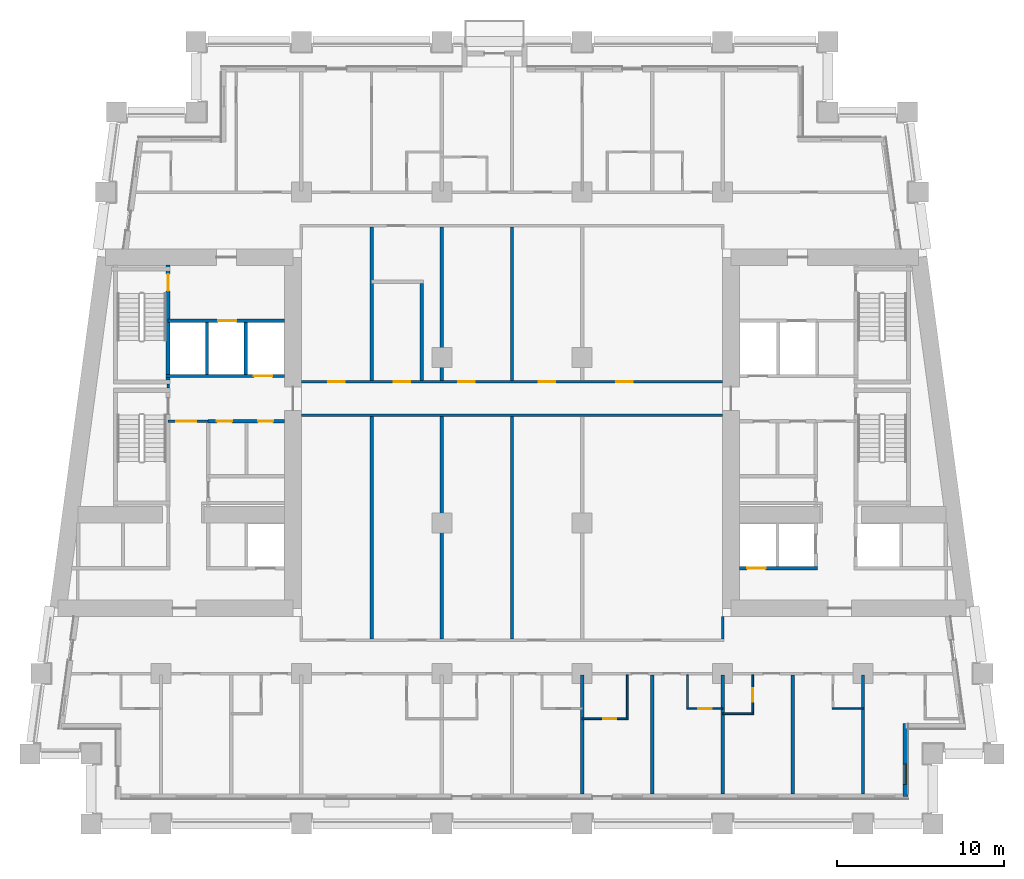
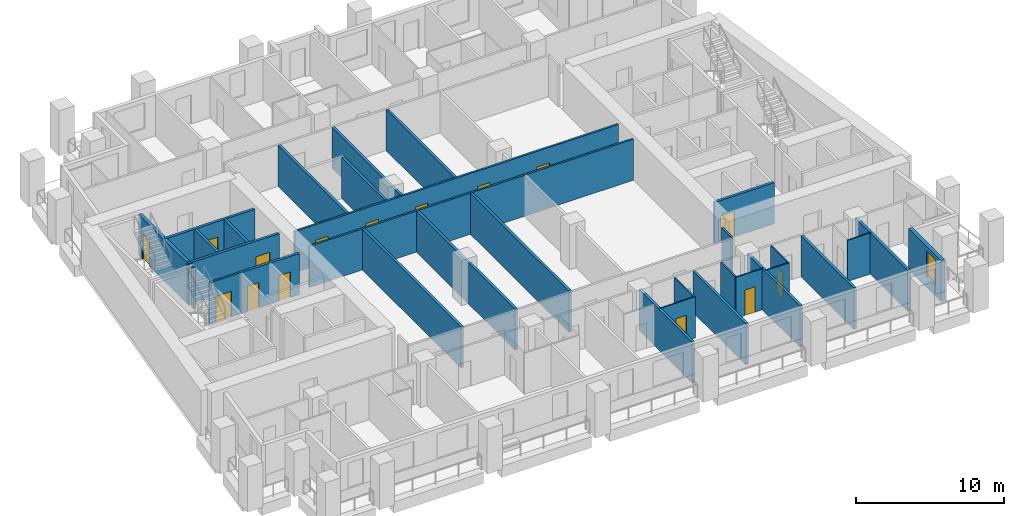
# One storey, part 4 of 13: 32 walls, 15 doors, 1 window, 16 openings.
"""IFC4 building model written with IfcOpenShell, lengths in metres."""

from ifc_helpers import new_model, si_unit, direction, frame, frame_2d, origin, place, context, subcontext, project, spatial, rectangle, extrude, material, layer, layer_set, type_object, element, fill, save


model = new_model("IFC4")

# Units and contexts
model_context = context("Model", 3, precision=1e-05, world=origin(), true_north=direction((0.0, 1.0)))
body_context = subcontext(model_context, "Body", "Model", "MODEL_VIEW")
ifc_project = project(units=[si_unit("LENGTHUNIT", "METRE"), si_unit("AREAUNIT", "SQUARE_METRE"), si_unit("VOLUMEUNIT", "CUBIC_METRE"), si_unit("PLANEANGLEUNIT", "RADIAN"), si_unit("MASSUNIT", "GRAM", prefix="KILO")], contexts=[model_context])

# Site, building, storey
site_placement = place(None, origin())
site = spatial("IfcSite", under=ifc_project, at=site_placement, CompositionType="ELEMENT")
building_placement = place(site_placement, origin())
building = spatial("IfcBuilding", under=site, at=building_placement, Name="Candeia Pilgrim Tower and Theatre", CompositionType="ELEMENT")
storey_placement = place(building_placement, frame((0.0, 0.0, 91.0)))
storey = spatial("IfcBuildingStorey", under=building, at=storey_placement, Name="L20", CompositionType="ELEMENT", Elevation=91.0)

# Wall, opening, window
ifc_material_1 = material(Name="Ceramic block masonry", Category="masonry")
ifc_layer_1 = layer(ifc_material_1, 0.300048828125)
ifc_layer_set_1 = layer_set([ifc_layer_1], Name="EW1 glazing-line wall 300")
wall_type_1 = type_object("IfcWallType", Name="EW1 glazing-line wall 300", PredefinedType="SOLIDWALL", material=ifc_layer_set_1)
wall_1_placement = place(storey_placement, frame((136.949951171875, 99.64990234375, 0.0), z_axis=(0.0, 0.0, 1.0), x_axis=(0.0, 1.0, 0.0)))
wall_1 = element("IfcWall", 1, at=wall_1_placement, inside=storey, type_object=wall_type_1, Name="External wall L20-1.0", PredefinedType="SOLIDWALL", context=body_context, shape_type="SweptSolid", body=[
    extrude(rectangle(XDim=4.35009765625, YDim=0.300048828125, at=frame_2d((2.175048828125, 0.0))), origin(), (0.0, 0.0, 1.0), 3.3798828125),
])
opening_1_placement = place(wall_1_placement, frame((0.72509765625, 0.0, 0.89990234375)))
opening_1 = element("IfcOpeningElement", 2, at=opening_1_placement, cuts=wall_1, Name="Opening W-B", PredefinedType="OPENING", context=body_context, shape_type="SweptSolid", body=[
    extrude(rectangle(XDim=1.199951171875, YDim=2.10009765625, at=frame_2d((0.60009765625, 1.050048828125))), frame((0.0, 0.16015625, 0.0), z_axis=(0.0, -1.0, 0.0), x_axis=(1.0, 0.0, 0.0)), (0.0, 0.0, 1.0), 0.320068359375),
])
ifc_material_2 = material(Name="Aluminium framed double glazing", Category="aluminium")
window_type = type_object("IfcWindowType", Name="W-B window 1200x2100", PartitioningType="SINGLE_PANEL", PredefinedType="WINDOW", material=ifc_material_2)
window_placement = place(opening_1_placement, origin())
window = element("IfcWindow", 3, at=window_placement, inside=storey, type_object=window_type, Name="Window W-B L20", OverallHeight=2.10009765625, OverallWidth=1.199951171875, PartitioningType="SINGLE_PANEL", PredefinedType="WINDOW", context=body_context, shape_type="SweptSolid", body=[
    extrude(rectangle(XDim=1.199951171875, YDim=2.10009765625, at=frame_2d((0.60009765625, 1.050048828125))), frame((0.0, 0.030029296875, 0.0), z_axis=(0.0, -1.0, 0.0), x_axis=(1.0, 0.0, 0.0)), (0.0, 0.0, 1.0), 0.06005859375),
])
fill(opening_1, window)

# Wall, opening, door
ifc_material_3 = material(Name="Gypsum board partition on steel studs", Category="steel")
ifc_layer_2 = layer(ifc_material_3, 0.10009765625)
ifc_layer_set_2 = layer_set([ifc_layer_2], Name="PW-100 room partition")
wall_type_2 = type_object("IfcWallType", Name="PW-100 room partition", PredefinedType="PARTITIONING", material=ifc_layer_set_2)
wall_2_placement = place(storey_placement, frame((117.60009765625, 104.300048828125, 0.0), z_axis=(0.0, 0.0, 1.0), x_axis=(1.0, 0.0, 0.0)))
wall_2 = element("IfcWall", 4, at=wall_2_placement, inside=storey, type_object=wall_type_2, Name="Room partition L20-002", PredefinedType="PARTITIONING", context=body_context, shape_type="SweptSolid", body=[
    extrude(rectangle(XDim=2.75, YDim=0.10009765625, at=frame_2d((1.375, 0.0))), origin(), (0.0, 0.0, 1.0), 3.3798828125),
])
opening_2_placement = place(wall_2_placement, frame((1.25, 0.0, 0.0)))
opening_2 = element("IfcOpeningElement", 5, at=opening_2_placement, cuts=wall_2, Name="Opening L20-D025", PredefinedType="OPENING", context=body_context, shape_type="SweptSolid", body=[
    extrude(rectangle(XDim=0.800048828125, YDim=2.10009765625, at=frame_2d((0.39990234375, 1.050048828125))), frame((0.0, 0.06005859375, 0.0), z_axis=(0.0, -1.0, 0.0), x_axis=(1.0, 0.0, 0.0)), (0.0, 0.0, 1.0), 0.1201171875),
])
ifc_material_4 = material(Name="Timber door leaf", Category="wood")
door_type_1 = type_object("IfcDoorType", Name="D-800", OperationType="NOTDEFINED", PredefinedType="DOOR", material=ifc_material_4)
door_1_placement = place(opening_2_placement, origin())
door_1 = element("IfcDoor", 6, at=door_1_placement, inside=storey, type_object=door_type_1, Name="Door L20-D025", OperationType="SINGLE_SWING_LEFT", OverallHeight=2.10009765625, OverallWidth=0.800048828125, PredefinedType="DOOR", context=body_context, shape_type="SweptSolid", body=[
    extrude(rectangle(XDim=0.800048828125, YDim=2.10009765625, at=frame_2d((0.39990234375, 1.050048828125))), frame((0.0, 0.02490234375, 0.0), z_axis=(0.0, -1.0, 0.0), x_axis=(1.0, 0.0, 0.0)), (0.0, 0.0, 1.0), 0.050048828125),
])
fill(opening_2, door_1)

# Wall
wall_3_placement = place(storey_placement, frame((126.0, 104.60009765625, 0.0), z_axis=(0.0, 0.0, 1.0), x_axis=(1.0, 0.0, 0.0)))
element("IfcWall", 7, at=wall_3_placement, inside=storey, type_object=wall_type_2, Name="Room partition L20-005", PredefinedType="PARTITIONING", context=body_context, shape_type="SweptSolid", body=[
    extrude(rectangle(XDim=1.85009765625, YDim=0.10009765625, at=frame_2d((0.925048828125, 0.0))), origin(), (0.0, 0.0, 1.0), 3.3798828125),
])

# Wall, opening, door
wall_4_placement = place(storey_placement, frame((123.85009765625, 104.89990234375, 0.0), z_axis=(0.0, 0.0, 1.0), x_axis=(1.0, 0.0, 0.0)))
wall_4 = element("IfcWall", 8, at=wall_4_placement, inside=storey, type_object=wall_type_2, Name="Room partition L20-008", PredefinedType="PARTITIONING", context=body_context, shape_type="SweptSolid", body=[
    extrude(rectangle(XDim=2.14990234375, YDim=0.10009765625, at=frame_2d((1.074951171875, 0.0))), origin(), (0.0, 0.0, 1.0), 3.3798828125),
])
opening_3_placement = place(wall_4_placement, frame((0.699951171875, 0.0, 0.0)))
opening_3 = element("IfcOpeningElement", 9, at=opening_3_placement, cuts=wall_4, Name="Opening L20-D027", PredefinedType="OPENING", context=body_context, shape_type="SweptSolid", body=[
    extrude(rectangle(XDim=0.800048828125, YDim=2.10009765625, at=frame_2d((0.39990234375, 1.050048828125))), frame((0.0, 0.06005859375, 0.0), z_axis=(0.0, -1.0, 0.0), x_axis=(1.0, 0.0, 0.0)), (0.0, 0.0, 1.0), 0.1201171875),
])
door_2_placement = place(opening_3_placement, origin())
door_2 = element("IfcDoor", 10, at=door_2_placement, inside=storey, type_object=door_type_1, Name="Door L20-D027", OperationType="SINGLE_SWING_LEFT", OverallHeight=2.10009765625, OverallWidth=0.800048828125, PredefinedType="DOOR", context=body_context, shape_type="SweptSolid", body=[
    extrude(rectangle(XDim=0.800048828125, YDim=2.10009765625, at=frame_2d((0.39990234375, 1.050048828125))), frame((0.0, 0.02490234375, 0.0), z_axis=(0.0, -1.0, 0.0), x_axis=(1.0, 0.0, 0.0)), (0.0, 0.0, 1.0), 0.050048828125),
])
fill(opening_3, door_2)

# Walls
wall_5_placement = place(storey_placement, frame((132.550048828125, 104.89990234375, 0.0), z_axis=(0.0, 0.0, 1.0), x_axis=(1.0, 0.0, 0.0)))
element("IfcWall", 11, at=wall_5_placement, inside=storey, type_object=wall_type_2, Name="Room partition L20-009", PredefinedType="PARTITIONING", context=body_context, shape_type="SweptSolid", body=[
    extrude(rectangle(XDim=1.849853515625, YDim=0.10009765625, at=frame_2d((0.9248046875, 0.0))), origin(), (0.0, 0.0, 1.0), 3.3798828125),
])
wall_6_placement = place(storey_placement, frame((120.300048828125, 104.35009765625, 0.0), z_axis=(0.0, 0.0, 1.0), x_axis=(0.0, 1.0, 0.0)))
element("IfcWall", 12, at=wall_6_placement, inside=storey, type_object=wall_type_2, Name="Room partition L20-098", PredefinedType="PARTITIONING", context=body_context, shape_type="SweptSolid", body=[
    extrude(rectangle(XDim=2.574951171875, YDim=0.10009765625, at=frame_2d((1.28759765625, 0.0))), origin(), (0.0, 0.0, 1.0), 3.3798828125),
])
wall_7_placement = place(storey_placement, frame((123.89990234375, 104.949951171875, 0.0), z_axis=(0.0, 0.0, 1.0), x_axis=(0.0, 1.0, 0.0)))
element("IfcWall", 13, at=wall_7_placement, inside=storey, type_object=wall_type_2, Name="Room partition L20-102", PredefinedType="PARTITIONING", context=body_context, shape_type="SweptSolid", body=[
    extrude(rectangle(XDim=1.97509765625, YDim=0.10009765625, at=frame_2d((0.987548828125, 0.0))), origin(), (0.0, 0.0, 1.0), 3.3798828125),
])

# Wall, opening, door
wall_8_placement = place(storey_placement, frame((127.800048828125, 104.64990234375, 0.0), z_axis=(0.0, 0.0, 1.0), x_axis=(0.0, 1.0, 0.0)))
wall_8 = element("IfcWall", 14, at=wall_8_placement, inside=storey, type_object=wall_type_2, Name="Room partition L20-107", PredefinedType="PARTITIONING", context=body_context, shape_type="SweptSolid", body=[
    extrude(rectangle(XDim=2.275146484375, YDim=0.10009765625, at=frame_2d((1.1376953125, 0.0))), origin(), (0.0, 0.0, 1.0), 3.3798828125),
])
opening_4_placement = place(wall_8_placement, frame((0.659912109375, 0.0, 0.0)))
opening_4 = element("IfcOpeningElement", 15, at=opening_4_placement, cuts=wall_8, Name="Opening L20-D029", PredefinedType="OPENING", context=body_context, shape_type="SweptSolid", body=[
    extrude(rectangle(XDim=0.800048828125, YDim=2.10009765625, at=frame_2d((0.39990234375, 1.050048828125))), frame((0.0, 0.06005859375, 0.0), z_axis=(0.0, -1.0, 0.0), x_axis=(1.0, 0.0, 0.0)), (0.0, 0.0, 1.0), 0.1201171875),
])
door_3_placement = place(opening_4_placement, origin())
door_3 = element("IfcDoor", 16, at=door_3_placement, inside=storey, type_object=door_type_1, Name="Door L20-D029", OperationType="SINGLE_SWING_LEFT", OverallHeight=2.10009765625, OverallWidth=0.800048828125, PredefinedType="DOOR", context=body_context, shape_type="SweptSolid", body=[
    extrude(rectangle(XDim=0.800048828125, YDim=2.10009765625, at=frame_2d((0.39990234375, 1.050048828125))), frame((0.0, 0.02490234375, 0.0), z_axis=(0.0, -1.0, 0.0), x_axis=(1.0, 0.0, 0.0)), (0.0, 0.0, 1.0), 0.050048828125),
])
fill(opening_4, door_3)

ifc_layer_3 = layer(ifc_material_3, 0.14990234375)
ifc_layer_set_3 = layer_set([ifc_layer_3], Name="PW-150 lobby wall")
wall_type_3 = type_object("IfcWallType", Name="PW-150 lobby wall", PredefinedType="PARTITIONING", material=ifc_layer_set_3)
wall_9_placement = place(storey_placement, frame((92.826904296875, 122.10009765625, 0.0), z_axis=(0.0, 0.0, 1.0), x_axis=(1.0, 0.0, 0.0)))
wall_9 = element("IfcWall", 17, at=wall_9_placement, inside=storey, type_object=wall_type_3, Name="Lobby wall L20-026", PredefinedType="PARTITIONING", context=body_context, shape_type="SweptSolid", body=[
    extrude(rectangle(XDim=2.400146484375, YDim=0.14990234375, at=frame_2d((1.2001953125, 0.0))), origin(), (0.0, 0.0, 1.0), 3.3798828125),
])
opening_5_placement = place(wall_9_placement, frame((0.47509765625, 0.0, 0.0)))
opening_5 = element("IfcOpeningElement", 18, at=opening_5_placement, cuts=wall_9, Name="Opening L20-D001", PredefinedType="OPENING", context=body_context, shape_type="SweptSolid", body=[
    extrude(rectangle(XDim=1.199951171875, YDim=2.10009765625, at=frame_2d((0.60009765625, 1.050048828125))), frame((0.0, 0.0849609375, 0.0), z_axis=(0.0, -1.0, 0.0), x_axis=(1.0, 0.0, 0.0)), (0.0, 0.0, 1.0), 0.169921875),
])
ifc_material_5 = material(Name="Steel fire door set", Category="steel")
door_type_2 = type_object("IfcDoorType", Name="D-1200-FD60", OperationType="NOTDEFINED", PredefinedType="DOOR", material=ifc_material_5)
door_4_placement = place(opening_5_placement, origin())
door_4 = element("IfcDoor", 19, at=door_4_placement, inside=storey, type_object=door_type_2, Name="Door L20-D001", OperationType="SINGLE_SWING_LEFT", OverallHeight=2.10009765625, OverallWidth=1.199951171875, PredefinedType="DOOR", context=body_context, shape_type="SweptSolid", body=[
    extrude(rectangle(XDim=1.199951171875, YDim=2.10009765625, at=frame_2d((0.60009765625, 1.050048828125))), frame((0.0, 0.02490234375, 0.0), z_axis=(0.0, -1.0, 0.0), x_axis=(1.0, 0.0, 0.0)), (0.0, 0.0, 1.0), 0.050048828125),
])
fill(opening_5, door_4)

# Walls
wall_10_placement = place(storey_placement, frame((92.826904296875, 124.074951171875, 0.0), z_axis=(0.0, 0.0, 1.0), x_axis=(0.0, 1.0, 0.0)))
element("IfcWall", 20, at=wall_10_placement, inside=storey, type_object=wall_type_3, Name="Lobby wall L20-058", PredefinedType="PARTITIONING", context=body_context, shape_type="SweptSolid", body=[
    extrude(rectangle(XDim=0.25, YDim=0.14990234375, at=frame_2d((0.125, 0.0))), origin(), (0.0, 0.0, 1.0), 3.3798828125),
])
ifc_layer_4 = layer(ifc_material_3, 0.14990234375)
ifc_layer_set_4 = layer_set([ifc_layer_4], Name="PW-150 unit wall")
wall_type_4 = type_object("IfcWallType", Name="PW-150 unit wall", PredefinedType="PARTITIONING", material=ifc_layer_set_4)
wall_11_placement = place(storey_placement, frame((100.800048828125, 122.449951171875, 0.0), z_axis=(0.0, 0.0, 1.0), x_axis=(1.0, 0.0, 0.0)))
element("IfcWall", 21, at=wall_11_placement, inside=storey, type_object=wall_type_4, Name="Unit wall L20-028", PredefinedType="PARTITIONING", context=body_context, shape_type="SweptSolid", body=[
    extrude(rectangle(XDim=25.199951171875, YDim=0.14990234375, at=frame_2d((12.60009765625, 0.0))), origin(), (0.0, 0.0, 1.0), 3.3798828125),
])

# Wall, openings, doors
wall_12_placement = place(storey_placement, frame((100.800048828125, 124.449951171875, 0.0), z_axis=(0.0, 0.0, 1.0), x_axis=(1.0, 0.0, 0.0)))
wall_12 = element("IfcWall", 22, at=wall_12_placement, inside=storey, type_object=wall_type_4, Name="Unit wall L20-033", PredefinedType="PARTITIONING", context=body_context, shape_type="SweptSolid", body=[
    extrude(rectangle(XDim=25.199951171875, YDim=0.14990234375, at=frame_2d((12.60009765625, 0.0))), origin(), (0.0, 0.0, 1.0), 3.3798828125),
])
opening_6_placement = place(wall_12_placement, frame((1.60009765625, 0.0, 0.0)))
opening_6 = element("IfcOpeningElement", 23, at=opening_6_placement, cuts=wall_12, Name="Opening L20-D054", PredefinedType="OPENING", context=body_context, shape_type="SweptSolid", body=[
    extrude(rectangle(XDim=1.0, YDim=2.10009765625, at=frame_2d((0.5, 1.050048828125))), frame((0.0, 0.0849609375, 0.0), z_axis=(0.0, -1.0, 0.0), x_axis=(1.0, 0.0, 0.0)), (0.0, 0.0, 1.0), 0.169921875),
])
opening_7_placement = place(wall_12_placement, frame((5.52490234375, 0.0, 0.0)))
opening_7 = element("IfcOpeningElement", 24, at=opening_7_placement, cuts=wall_12, Name="Opening L20-D055", PredefinedType="OPENING", context=body_context, shape_type="SweptSolid", body=[
    extrude(rectangle(XDim=1.0, YDim=2.10009765625, at=frame_2d((0.5, 1.050048828125))), frame((0.0, 0.0849609375, 0.0), z_axis=(0.0, -1.0, 0.0), x_axis=(1.0, 0.0, 0.0)), (0.0, 0.0, 1.0), 0.169921875),
])
opening_8_placement = place(wall_12_placement, frame((9.375, 0.0, 0.0)))
opening_8 = element("IfcOpeningElement", 25, at=opening_8_placement, cuts=wall_12, Name="Opening L20-D056", PredefinedType="OPENING", context=body_context, shape_type="SweptSolid", body=[
    extrude(rectangle(XDim=1.0, YDim=2.10009765625, at=frame_2d((0.5, 1.050048828125))), frame((0.0, 0.0849609375, 0.0), z_axis=(0.0, -1.0, 0.0), x_axis=(1.0, 0.0, 0.0)), (0.0, 0.0, 1.0), 0.169921875),
])
opening_9_placement = place(wall_12_placement, frame((14.199951171875, 0.0, 0.0)))
opening_9 = element("IfcOpeningElement", 26, at=opening_9_placement, cuts=wall_12, Name="Opening L20-D057", PredefinedType="OPENING", context=body_context, shape_type="SweptSolid", body=[
    extrude(rectangle(XDim=1.0, YDim=2.10009765625, at=frame_2d((0.5, 1.050048828125))), frame((0.0, 0.0849609375, 0.0), z_axis=(0.0, -1.0, 0.0), x_axis=(1.0, 0.0, 0.0)), (0.0, 0.0, 1.0), 0.169921875),
])
opening_10_placement = place(wall_12_placement, frame((18.824951171875, 0.0, 0.0)))
opening_10 = element("IfcOpeningElement", 27, at=opening_10_placement, cuts=wall_12, Name="Opening L20-D058", PredefinedType="OPENING", context=body_context, shape_type="SweptSolid", body=[
    extrude(rectangle(XDim=1.0, YDim=2.10009765625, at=frame_2d((0.5, 1.050048828125))), frame((0.0, 0.0849609375, 0.0), z_axis=(0.0, -1.0, 0.0), x_axis=(1.0, 0.0, 0.0)), (0.0, 0.0, 1.0), 0.169921875),
])
door_type_3 = type_object("IfcDoorType", Name="D-1000-FD30S", OperationType="NOTDEFINED", PredefinedType="DOOR", material=ifc_material_5)
door_5_placement = place(opening_6_placement, origin())
door_5 = element("IfcDoor", 28, at=door_5_placement, inside=storey, type_object=door_type_3, Name="Door L20-D054", OperationType="SINGLE_SWING_RIGHT", OverallHeight=2.10009765625, OverallWidth=1.0, PredefinedType="DOOR", context=body_context, shape_type="SweptSolid", body=[
    extrude(rectangle(XDim=1.0, YDim=2.10009765625, at=frame_2d((0.5, 1.050048828125))), frame((0.0, 0.02490234375, 0.0), z_axis=(0.0, -1.0, 0.0), x_axis=(1.0, 0.0, 0.0)), (0.0, 0.0, 1.0), 0.050048828125),
])
fill(opening_6, door_5)
door_6_placement = place(opening_7_placement, origin())
door_6 = element("IfcDoor", 29, at=door_6_placement, inside=storey, type_object=door_type_3, Name="Door L20-D055", OperationType="SINGLE_SWING_LEFT", OverallHeight=2.10009765625, OverallWidth=1.0, PredefinedType="DOOR", context=body_context, shape_type="SweptSolid", body=[
    extrude(rectangle(XDim=1.0, YDim=2.10009765625, at=frame_2d((0.5, 1.050048828125))), frame((0.0, 0.02490234375, 0.0), z_axis=(0.0, -1.0, 0.0), x_axis=(1.0, 0.0, 0.0)), (0.0, 0.0, 1.0), 0.050048828125),
])
fill(opening_7, door_6)
door_7_placement = place(opening_8_placement, origin())
door_7 = element("IfcDoor", 30, at=door_7_placement, inside=storey, type_object=door_type_3, Name="Door L20-D056", OperationType="SINGLE_SWING_RIGHT", OverallHeight=2.10009765625, OverallWidth=1.0, PredefinedType="DOOR", context=body_context, shape_type="SweptSolid", body=[
    extrude(rectangle(XDim=1.0, YDim=2.10009765625, at=frame_2d((0.5, 1.050048828125))), frame((0.0, 0.02490234375, 0.0), z_axis=(0.0, -1.0, 0.0), x_axis=(1.0, 0.0, 0.0)), (0.0, 0.0, 1.0), 0.050048828125),
])
fill(opening_8, door_7)
door_8_placement = place(opening_9_placement, origin())
door_8 = element("IfcDoor", 31, at=door_8_placement, inside=storey, type_object=door_type_3, Name="Door L20-D057", OperationType="SINGLE_SWING_LEFT", OverallHeight=2.10009765625, OverallWidth=1.0, PredefinedType="DOOR", context=body_context, shape_type="SweptSolid", body=[
    extrude(rectangle(XDim=1.0, YDim=2.10009765625, at=frame_2d((0.5, 1.050048828125))), frame((0.0, 0.02490234375, 0.0), z_axis=(0.0, -1.0, 0.0), x_axis=(1.0, 0.0, 0.0)), (0.0, 0.0, 1.0), 0.050048828125),
])
fill(opening_9, door_8)
door_9_placement = place(opening_10_placement, origin())
door_9 = element("IfcDoor", 32, at=door_9_placement, inside=storey, type_object=door_type_3, Name="Door L20-D058", OperationType="SINGLE_SWING_RIGHT", OverallHeight=2.10009765625, OverallWidth=1.0, PredefinedType="DOOR", context=body_context, shape_type="SweptSolid", body=[
    extrude(rectangle(XDim=1.0, YDim=2.10009765625, at=frame_2d((0.5, 1.050048828125))), frame((0.0, 0.02490234375, 0.0), z_axis=(0.0, -1.0, 0.0), x_axis=(1.0, 0.0, 0.0)), (0.0, 0.0, 1.0), 0.050048828125),
])
fill(opening_10, door_9)

# Walls
wall_13_placement = place(storey_placement, frame((126.0, 109.074951171875, 0.0), z_axis=(0.0, 0.0, 1.0), x_axis=(0.0, 1.0, 0.0)))
element("IfcWall", 33, at=wall_13_placement, inside=storey, type_object=wall_type_4, Name="Unit wall L20-105", PredefinedType="PARTITIONING", context=body_context, shape_type="SweptSolid", body=[
    extrude(rectangle(XDim=1.324951171875, YDim=0.14990234375, at=frame_2d((0.66259765625, 0.0))), origin(), (0.0, 0.0, 1.0), 3.3798828125),
])
ifc_layer_5 = layer(ifc_material_3, 0.199951171875)
ifc_layer_set_5 = layer_set([ifc_layer_5], Name="PW-200 party wall")
wall_type_5 = type_object("IfcWallType", Name="PW-200 party wall", PredefinedType="PARTITIONING", material=ifc_layer_set_5)
wall_14_placement = place(storey_placement, frame((105.0, 109.074951171875, 0.0), z_axis=(0.0, 0.0, 1.0), x_axis=(0.0, 1.0, 0.0)))
element("IfcWall", 34, at=wall_14_placement, inside=storey, type_object=wall_type_5, Name="Party wall L20-077", PredefinedType="PARTITIONING", context=body_context, shape_type="SweptSolid", body=[
    extrude(rectangle(XDim=13.300048828125, YDim=0.199951171875, at=frame_2d((6.64990234375, 0.0))), origin(), (0.0, 0.0, 1.0), 3.3798828125),
])
wall_15_placement = place(storey_placement, frame((105.0, 124.52490234375, 0.0), z_axis=(0.0, 0.0, 1.0), x_axis=(0.0, 1.0, 0.0)))
element("IfcWall", 35, at=wall_15_placement, inside=storey, type_object=wall_type_5, Name="Party wall L20-078", PredefinedType="PARTITIONING", context=body_context, shape_type="SweptSolid", body=[
    extrude(rectangle(XDim=9.2001953125, YDim=0.199951171875, at=frame_2d((4.60009765625, 0.0))), origin(), (0.0, 0.0, 1.0), 3.3798828125),
])
wall_16_placement = place(storey_placement, frame((108.0, 124.52490234375, 0.0), z_axis=(0.0, 0.0, 1.0), x_axis=(0.0, 1.0, 0.0)))
element("IfcWall", 36, at=wall_16_placement, inside=storey, type_object=wall_type_5, Name="Party wall L20-081", PredefinedType="PARTITIONING", context=body_context, shape_type="SweptSolid", body=[
    extrude(rectangle(XDim=5.8251953125, YDim=0.199951171875, at=frame_2d((2.91259765625, 0.0))), origin(), (0.0, 0.0, 1.0), 3.3798828125),
])
wall_17_placement = place(storey_placement, frame((109.199951171875, 109.074951171875, 0.0), z_axis=(0.0, 0.0, 1.0), x_axis=(0.0, 1.0, 0.0)))
element("IfcWall", 37, at=wall_17_placement, inside=storey, type_object=wall_type_5, Name="Party wall L20-083", PredefinedType="PARTITIONING", context=body_context, shape_type="SweptSolid", body=[
    extrude(rectangle(XDim=13.300048828125, YDim=0.199951171875, at=frame_2d((6.64990234375, 0.0))), origin(), (0.0, 0.0, 1.0), 3.3798828125),
])
wall_18_placement = place(storey_placement, frame((109.199951171875, 124.52490234375, 0.0), z_axis=(0.0, 0.0, 1.0), x_axis=(0.0, 1.0, 0.0)))
element("IfcWall", 38, at=wall_18_placement, inside=storey, type_object=wall_type_5, Name="Party wall L20-084", PredefinedType="PARTITIONING", context=body_context, shape_type="SweptSolid", body=[
    extrude(rectangle(XDim=9.2001953125, YDim=0.199951171875, at=frame_2d((4.60009765625, 0.0))), origin(), (0.0, 0.0, 1.0), 3.3798828125),
])
wall_19_placement = place(storey_placement, frame((113.39990234375, 109.074951171875, 0.0), z_axis=(0.0, 0.0, 1.0), x_axis=(0.0, 1.0, 0.0)))
element("IfcWall", 39, at=wall_19_placement, inside=storey, type_object=wall_type_5, Name="Party wall L20-089", PredefinedType="PARTITIONING", context=body_context, shape_type="SweptSolid", body=[
    extrude(rectangle(XDim=13.300048828125, YDim=0.199951171875, at=frame_2d((6.64990234375, 0.0))), origin(), (0.0, 0.0, 1.0), 3.3798828125),
])
wall_20_placement = place(storey_placement, frame((113.39990234375, 124.52490234375, 0.0), z_axis=(0.0, 0.0, 1.0), x_axis=(0.0, 1.0, 0.0)))
element("IfcWall", 40, at=wall_20_placement, inside=storey, type_object=wall_type_5, Name="Party wall L20-090", PredefinedType="PARTITIONING", context=body_context, shape_type="SweptSolid", body=[
    extrude(rectangle(XDim=9.2001953125, YDim=0.199951171875, at=frame_2d((4.60009765625, 0.0))), origin(), (0.0, 0.0, 1.0), 3.3798828125),
])
for number, where, z_axis, x_axis, name in (
    (41, (117.60009765625, 99.7900390625, 0.0), (0.0, 0.0, 1.0), (0.0, 1.0, 0.0), "Party wall L20-094"),
    (42, (121.800048828125, 99.7900390625, 0.0), (0.0, 0.0, 1.0), (0.0, 1.0, 0.0), "Party wall L20-099"),
    (43, (126.0, 99.7900390625, 0.0), (0.0, 0.0, 1.0), (0.0, 1.0, 0.0), "Party wall L20-103"),
    (44, (130.199951171875, 99.7900390625, 0.0), (0.0, 0.0, 1.0), (0.0, 1.0, 0.0), "Party wall L20-111"),
    (45, (134.39990234375, 99.7900390625, 0.0), (0.0, 0.0, 1.0), (0.0, 1.0, 0.0), "Party wall L20-122"),
):
    element("IfcWall", number, at=place(storey_placement, frame(where, z_axis=z_axis, x_axis=x_axis)), inside=storey, type_object=wall_type_5, Name=name, PredefinedType="PARTITIONING", context=body_context, shape_type="SweptSolid", body=[
        extrude(rectangle(XDim=7.135009765625, YDim=0.199951171875, at=frame_2d((3.5673828125, 0.0))), origin(), (0.0, 0.0, 1.0), 3.3798828125),
    ])

# Wall, opening, door
ifc_material_6 = material(Name="Concrete C40/50", Category="concrete")
ifc_layer_6 = layer(ifc_material_6, 0.199951171875)
ifc_layer_set_6 = layer_set([ifc_layer_6], Name="SW-200 shaft wall")
wall_type_6 = type_object("IfcWallType", Name="SW-200 shaft wall", PredefinedType="PARTITIONING", material=ifc_layer_set_6)
wall_21_placement = place(storey_placement, frame((127.0, 113.300048828125, 0.0), z_axis=(0.0, 0.0, 1.0), x_axis=(1.0, 0.0, 0.0)))
wall_21 = element("IfcWall", 46, at=wall_21_placement, inside=storey, type_object=wall_type_6, Name="Shaft wall L20-014", PredefinedType="PARTITIONING", context=body_context, shape_type="SweptSolid", body=[
    extrude(rectangle(XDim=4.673095703125, YDim=0.199951171875, at=frame_2d((2.33642578125, 0.0))), origin(), (0.0, 0.0, 1.0), 3.3798828125),
])
opening_11_placement = place(wall_21_placement, frame((0.471923828125, 0.0, 0.0)))
opening_11 = element("IfcOpeningElement", 47, at=opening_11_placement, cuts=wall_21, Name="Opening L20-LD08", PredefinedType="OPENING", context=body_context, shape_type="SweptSolid", body=[
    extrude(rectangle(XDim=1.10009765625, YDim=2.10009765625, at=frame_2d((0.550048828125, 1.050048828125))), frame((0.0, 0.10986328125, 0.0), z_axis=(0.0, -1.0, 0.0), x_axis=(1.0, 0.0, 0.0)), (0.0, 0.0, 1.0), 0.219970703125),
])
ifc_material_7 = material(Name="Glazed aluminium landing door", Category="aluminium")
door_type_4 = type_object("IfcDoorType", Name="LD-1100-EI120", OperationType="SLIDING_TO_LEFT", PredefinedType="DOOR", material=ifc_material_7)
door_10_placement = place(opening_11_placement, origin())
door_10 = element("IfcDoor", 48, at=door_10_placement, inside=storey, type_object=door_type_4, Name="Landing door 08 L20", OperationType="SLIDING_TO_LEFT", OverallHeight=2.10009765625, OverallWidth=1.10009765625, PredefinedType="DOOR", context=body_context, shape_type="SweptSolid", body=[
    extrude(rectangle(XDim=1.10009765625, YDim=2.10009765625, at=frame_2d((0.550048828125, 1.050048828125))), frame((0.0, 0.02490234375, 0.0), z_axis=(0.0, -1.0, 0.0), x_axis=(1.0, 0.0, 0.0)), (0.0, 0.0, 1.0), 0.050048828125),
])
fill(opening_11, door_10)

# Wall, openings, doors
wall_22_placement = place(storey_placement, frame((95.22705078125, 122.10009765625, 0.0), z_axis=(0.0, 0.0, 1.0), x_axis=(1.0, 0.0, 0.0)))
wall_22 = element("IfcWall", 49, at=wall_22_placement, inside=storey, type_object=wall_type_6, Name="Shaft wall L20-024", PredefinedType="PARTITIONING", context=body_context, shape_type="SweptSolid", body=[
    extrude(rectangle(XDim=4.572998046875, YDim=0.199951171875, at=frame_2d((2.28662109375, 0.0))), origin(), (0.0, 0.0, 1.0), 3.3798828125),
])
opening_12_placement = place(wall_22_placement, frame((0.52197265625, 0.0, 0.0)))
opening_12 = element("IfcOpeningElement", 50, at=opening_12_placement, cuts=wall_22, Name="Opening L20-D002", PredefinedType="OPENING", context=body_context, shape_type="SweptSolid", body=[
    extrude(rectangle(XDim=0.89990234375, YDim=2.10009765625, at=frame_2d((0.449951171875, 1.050048828125))), frame((0.0, 0.10986328125, 0.0), z_axis=(0.0, -1.0, 0.0), x_axis=(1.0, 0.0, 0.0)), (0.0, 0.0, 1.0), 0.219970703125),
])
opening_13_placement = place(wall_22_placement, frame((2.97998046875, 0.0, 0.0)))
opening_13 = element("IfcOpeningElement", 51, at=opening_13_placement, cuts=wall_22, Name="Opening L20-D003", PredefinedType="OPENING", context=body_context, shape_type="SweptSolid", body=[
    extrude(rectangle(XDim=0.89990234375, YDim=2.10009765625, at=frame_2d((0.449951171875, 1.050048828125))), frame((0.0, 0.10986328125, 0.0), z_axis=(0.0, -1.0, 0.0), x_axis=(1.0, 0.0, 0.0)), (0.0, 0.0, 1.0), 0.219970703125),
])
door_type_5 = type_object("IfcDoorType", Name="D-900-FD60", OperationType="NOTDEFINED", PredefinedType="DOOR", material=ifc_material_5)
door_11_placement = place(opening_12_placement, origin())
door_11 = element("IfcDoor", 52, at=door_11_placement, inside=storey, type_object=door_type_5, Name="Door L20-D002", OperationType="SINGLE_SWING_RIGHT", OverallHeight=2.10009765625, OverallWidth=0.89990234375, PredefinedType="DOOR", context=body_context, shape_type="SweptSolid", body=[
    extrude(rectangle(XDim=0.89990234375, YDim=2.10009765625, at=frame_2d((0.449951171875, 1.050048828125))), frame((0.0, 0.02490234375, 0.0), z_axis=(0.0, -1.0, 0.0), x_axis=(1.0, 0.0, 0.0)), (0.0, 0.0, 1.0), 0.050048828125),
])
fill(opening_12, door_11)
door_12_placement = place(opening_13_placement, origin())
door_12 = element("IfcDoor", 53, at=door_12_placement, inside=storey, type_object=door_type_5, Name="Door L20-D003", OperationType="SINGLE_SWING_LEFT", OverallHeight=2.10009765625, OverallWidth=0.89990234375, PredefinedType="DOOR", context=body_context, shape_type="SweptSolid", body=[
    extrude(rectangle(XDim=0.89990234375, YDim=2.10009765625, at=frame_2d((0.449951171875, 1.050048828125))), frame((0.0, 0.02490234375, 0.0), z_axis=(0.0, -1.0, 0.0), x_axis=(1.0, 0.0, 0.0)), (0.0, 0.0, 1.0), 0.050048828125),
])
fill(opening_13, door_12)

# Wall, opening, door
wall_23_placement = place(storey_placement, frame((92.701904296875, 124.800048828125, 0.0), z_axis=(0.0, 0.0, 1.0), x_axis=(1.0, 0.0, 0.0)))
wall_23 = element("IfcWall", 54, at=wall_23_placement, inside=storey, type_object=wall_type_6, Name="Shaft wall L20-034", PredefinedType="PARTITIONING", context=body_context, shape_type="SweptSolid", body=[
    extrude(rectangle(XDim=7.09814453125, YDim=0.199951171875, at=frame_2d((3.549072265625, 0.0))), origin(), (0.0, 0.0, 1.0), 3.3798828125),
])
opening_14_placement = place(wall_23_placement, frame((5.2548828125, 0.0, 0.0)))
opening_14 = element("IfcOpeningElement", 55, at=opening_14_placement, cuts=wall_23, Name="Opening L20-LD02", PredefinedType="OPENING", context=body_context, shape_type="SweptSolid", body=[
    extrude(rectangle(XDim=1.10009765625, YDim=2.10009765625, at=frame_2d((0.550048828125, 1.050048828125))), frame((0.0, 0.10986328125, 0.0), z_axis=(0.0, -1.0, 0.0), x_axis=(1.0, 0.0, 0.0)), (0.0, 0.0, 1.0), 0.219970703125),
])
door_13_placement = place(opening_14_placement, origin())
door_13 = element("IfcDoor", 56, at=door_13_placement, inside=storey, type_object=door_type_4, Name="Landing door 02 L20", OperationType="SLIDING_TO_LEFT", OverallHeight=2.10009765625, OverallWidth=1.10009765625, PredefinedType="DOOR", context=body_context, shape_type="SweptSolid", body=[
    extrude(rectangle(XDim=1.10009765625, YDim=2.10009765625, at=frame_2d((0.550048828125, 1.050048828125))), frame((0.0, 0.02490234375, 0.0), z_axis=(0.0, -1.0, 0.0), x_axis=(1.0, 0.0, 0.0)), (0.0, 0.0, 1.0), 0.050048828125),
])
fill(opening_14, door_13)

wall_24_placement = place(storey_placement, frame((92.826904296875, 128.10009765625, 0.0), z_axis=(0.0, 0.0, 1.0), x_axis=(1.0, 0.0, 0.0)))
wall_24 = element("IfcWall", 57, at=wall_24_placement, inside=storey, type_object=wall_type_6, Name="Shaft wall L20-037", PredefinedType="PARTITIONING", context=body_context, shape_type="SweptSolid", body=[
    extrude(rectangle(XDim=6.97314453125, YDim=0.199951171875, at=frame_2d((3.486572265625, 0.0))), origin(), (0.0, 0.0, 1.0), 3.3798828125),
])
opening_15_placement = place(wall_24_placement, frame((2.989013671875, 0.0, 0.0)))
opening_15 = element("IfcOpeningElement", 58, at=opening_15_placement, cuts=wall_24, Name="Opening L20-LD01", PredefinedType="OPENING", context=body_context, shape_type="SweptSolid", body=[
    extrude(rectangle(XDim=1.10009765625, YDim=2.10009765625, at=frame_2d((0.550048828125, 1.050048828125))), frame((0.0, 0.10986328125, 0.0), z_axis=(0.0, -1.0, 0.0), x_axis=(1.0, 0.0, 0.0)), (0.0, 0.0, 1.0), 0.219970703125),
])
door_14_placement = place(opening_15_placement, origin())
door_14 = element("IfcDoor", 59, at=door_14_placement, inside=storey, type_object=door_type_4, Name="Landing door 01 L20", OperationType="SLIDING_TO_LEFT", OverallHeight=2.10009765625, OverallWidth=1.10009765625, PredefinedType="DOOR", context=body_context, shape_type="SweptSolid", body=[
    extrude(rectangle(XDim=1.10009765625, YDim=2.10009765625, at=frame_2d((0.550048828125, 1.050048828125))), frame((0.0, 0.02490234375, 0.0), z_axis=(0.0, -1.0, 0.0), x_axis=(1.0, 0.0, 0.0)), (0.0, 0.0, 1.0), 0.050048828125),
])
fill(opening_15, door_14)

# Walls
for number, where, z_axis, x_axis, name in (
    (60, (95.1513671875, 124.89990234375, 0.0), (0.0, 0.0, 1.0), (0.0, 1.0, 0.0), "Shaft wall L20-063"),
    (61, (97.4755859375, 124.89990234375, 0.0), (0.0, 0.0, 1.0), (0.0, 1.0, 0.0), "Shaft wall L20-068"),
):
    element("IfcWall", number, at=place(storey_placement, frame(where, z_axis=z_axis, x_axis=x_axis)), inside=storey, type_object=wall_type_6, Name=name, PredefinedType="PARTITIONING", context=body_context, shape_type="SweptSolid", body=[
        extrude(rectangle(XDim=3.10009765625, YDim=0.199951171875, at=frame_2d((1.550048828125, 0.0))), origin(), (0.0, 0.0, 1.0), 3.3798828125),
    ])

# Wall, opening, door
ifc_layer_7 = layer(ifc_material_6, 0.25)
ifc_layer_set_7 = layer_set([ifc_layer_7], Name="SW-250 stair wall")
wall_type_7 = type_object("IfcWallType", Name="SW-250 stair wall", PredefinedType="PARTITIONING", material=ifc_layer_set_7)
wall_25_placement = place(storey_placement, frame((92.826904296875, 124.574951171875, 0.0), z_axis=(0.0, 0.0, 1.0), x_axis=(0.0, 1.0, 0.0)))
wall_25 = element("IfcWall", 62, at=wall_25_placement, inside=storey, type_object=wall_type_7, Name="Stair wall L20-060", PredefinedType="PARTITIONING", context=body_context, shape_type="SweptSolid", body=[
    extrude(rectangle(XDim=6.85498046875, YDim=0.25, at=frame_2d((3.427490234375, 0.0))), origin(), (0.0, 0.0, 1.0), 3.3798828125),
])
opening_16_placement = place(wall_25_placement, frame((5.324951171875, 0.0, 0.0)))
opening_16 = element("IfcOpeningElement", 63, at=opening_16_placement, cuts=wall_25, Name="Opening L20-D005", PredefinedType="OPENING", context=body_context, shape_type="SweptSolid", body=[
    extrude(rectangle(XDim=1.0, YDim=2.10009765625, at=frame_2d((0.5, 1.050048828125))), frame((0.0, 0.135009765625, 0.0), z_axis=(0.0, -1.0, 0.0), x_axis=(1.0, 0.0, 0.0)), (0.0, 0.0, 1.0), 0.27001953125),
])
door_type_6 = type_object("IfcDoorType", Name="D-1000-FD60", OperationType="NOTDEFINED", PredefinedType="DOOR", material=ifc_material_5)
door_15_placement = place(opening_16_placement, origin())
door_15 = element("IfcDoor", 64, at=door_15_placement, inside=storey, type_object=door_type_6, Name="Door L20-D005", OperationType="SINGLE_SWING_LEFT", OverallHeight=2.10009765625, OverallWidth=1.0, PredefinedType="DOOR", context=body_context, shape_type="SweptSolid", body=[
    extrude(rectangle(XDim=1.0, YDim=2.10009765625, at=frame_2d((0.5, 1.050048828125))), frame((0.0, 0.02490234375, 0.0), z_axis=(0.0, -1.0, 0.0), x_axis=(1.0, 0.0, 0.0)), (0.0, 0.0, 1.0), 0.050048828125),
])
fill(opening_16, door_15)

save(model, "model.ifc")
